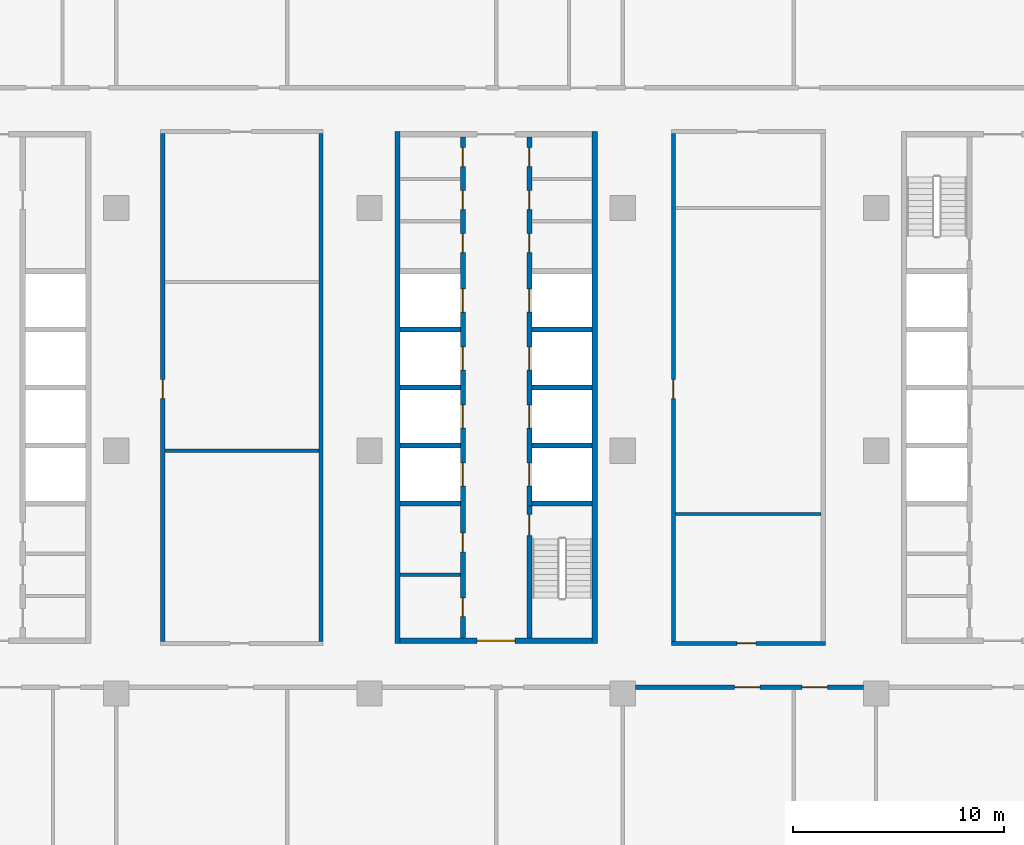
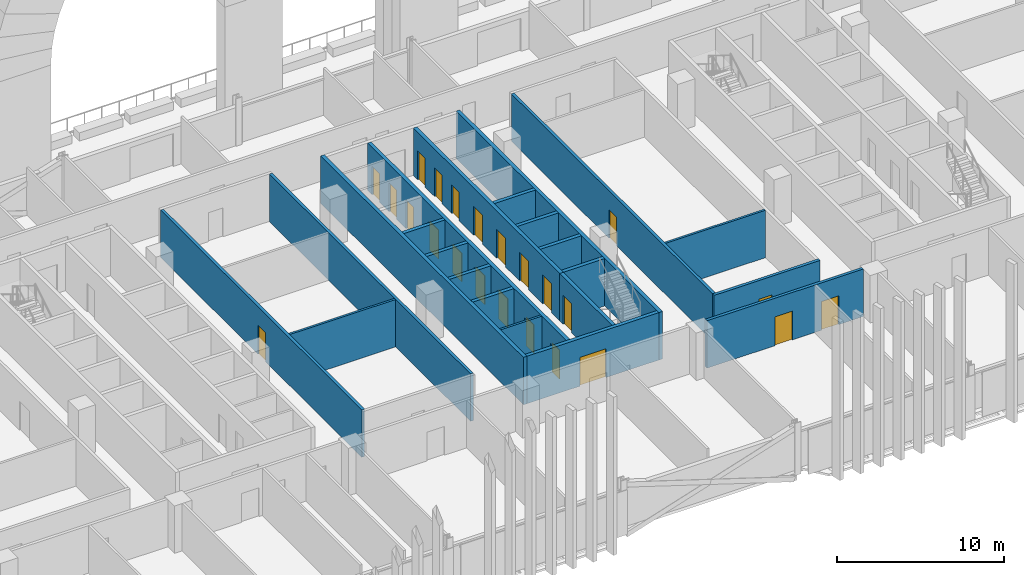
# One storey, part 11 of 30: 23 doors, 22 walls, 23 openings.
"""IFC4 building model written with IfcOpenShell, lengths in metres."""

from ifc_helpers import new_model, si_unit, direction, frame, frame_2d, origin, place, context, subcontext, project, spatial, rectangle, extrude, material, layer, layer_set, type_object, element, fill, save


model = new_model("IFC4")

# Units and contexts
model_context = context("Model", 3, precision=1e-05, world=origin(), true_north=direction((0.0, 1.0)))
body_context = subcontext(model_context, "Body", "Model", "MODEL_VIEW")
ifc_project = project(units=[si_unit("LENGTHUNIT", "METRE"), si_unit("AREAUNIT", "SQUARE_METRE"), si_unit("VOLUMEUNIT", "CUBIC_METRE"), si_unit("PLANEANGLEUNIT", "RADIAN"), si_unit("MASSUNIT", "GRAM", prefix="KILO")], contexts=[model_context])

# Site, building, storey
site_placement = place(None, origin())
site = spatial("IfcSite", under=ifc_project, at=site_placement, CompositionType="ELEMENT")
building_placement = place(site_placement, origin())
building = spatial("IfcBuilding", under=site, at=building_placement, Name="Mahtab Terrace Research Tower", CompositionType="ELEMENT")
storey_placement = place(building_placement, frame((0.0, 0.0, 159.199951171875)))
storey = spatial("IfcBuildingStorey", under=building, at=storey_placement, Name="L37", CompositionType="ELEMENT", Elevation=159.199951171875)

# Walls
ifc_material_1 = material(Name="Gypsum board partition")
ifc_layer_1 = layer(ifc_material_1, 0.14990234375)
ifc_layer_set_1 = layer_set([ifc_layer_1], Name="Core partition 150")
wall_type_1 = type_object("IfcWallType", Name="Core partition 150", PredefinedType="PARTITIONING", material=ifc_layer_set_1)
wall_1_placement = place(storey_placement, frame((-4.550048828125, -5.875, 0.0), z_axis=(0.0, 0.0, 1.0), x_axis=(1.0, 0.0, 0.0)))
element("IfcWall", 1, at=wall_1_placement, inside=storey, type_object=wall_type_1, Name="Core wall B pWS-888", PredefinedType="PARTITIONING", context=body_context, shape_type="SweptSolid", body=[
    extrude(rectangle(XDim=2.85009765625, YDim=0.14990234375, at=frame_2d((1.425048828125, 0.0))), origin(), (0.0, 0.0, 1.0), 3.4599609375),
])
ifc_material_2 = material(Name="Concrete C70/85", Category="concrete")
ifc_layer_2 = layer(ifc_material_2, 0.25)
ifc_layer_set_2 = layer_set([ifc_layer_2], Name="Core wall 250")
wall_type_2 = type_object("IfcWallType", Name="Core wall 250", PredefinedType="SOLIDWALL", material=ifc_layer_set_2)
for number, where, z_axis, x_axis, name in (
    (2, (-4.675048828125, 15.125, 0.0), (0.0, 0.0, 1.0), (0.0, -1.0, 0.0), "Core wall B outerW"),
    (3, (4.675048828125, -9.125, 0.0), (0.0, 0.0, 1.0), (0.0, 1.0, 0.0), "Core wall B outerE"),
):
    element("IfcWall", number, at=place(storey_placement, frame(where, z_axis=z_axis, x_axis=x_axis)), inside=storey, type_object=wall_type_2, Name=name, PredefinedType="SOLIDWALL", context=body_context, shape_type="SweptSolid", body=[
        extrude(rectangle(XDim=24.25, YDim=0.25, at=frame_2d((12.125, 0.0))), origin(), (0.0, 0.0, 1.0), 3.4599609375),
    ])

# Wall, opening, door
wall_2_placement = place(storey_placement, frame((4.550048828125, -9.0, 0.0), z_axis=(0.0, 0.0, 1.0), x_axis=(-1.0, 0.0, 0.0)))
wall_2 = element("IfcWall", 4, at=wall_2_placement, inside=storey, type_object=wall_type_2, Name="Core wall B endS", PredefinedType="SOLIDWALL", context=body_context, shape_type="SweptSolid", body=[
    extrude(rectangle(XDim=9.10009765625, YDim=0.25, at=frame_2d((4.550048828125, 0.0))), origin(), (0.0, 0.0, 1.0), 3.4599609375),
])
opening_1_placement = place(wall_2_placement, frame((3.64990234375, 0.0, 0.0)))
opening_1 = element("IfcOpeningElement", 5, at=opening_1_placement, cuts=wall_2, Name="Opening B-S1", PredefinedType="OPENING", context=body_context, shape_type="SweptSolid", body=[
    extrude(rectangle(XDim=1.800048828125, YDim=2.10009765625, at=frame_2d((0.89990234375, 1.050048828125))), frame((0.0, 0.135009765625, 0.0), z_axis=(0.0, -1.0, 0.0), x_axis=(1.0, 0.0, 0.0)), (0.0, 0.0, 1.0), 0.27001953125),
])
ifc_material_3 = material(Name="Steel fire door", Category="steel")
door_type_1 = type_object("IfcDoorType", Name="Lobby double door 1800x2100 1 HR", OperationType="DOUBLE_DOOR_SINGLE_SWING", PredefinedType="DOOR", material=ifc_material_3)
door_1_placement = place(opening_1_placement, origin())
door_1 = element("IfcDoor", 6, at=door_1_placement, inside=storey, type_object=door_type_1, Name="Core entrance door B S", OperationType="DOUBLE_DOOR_SINGLE_SWING", OverallHeight=2.10009765625, OverallWidth=1.800048828125, PredefinedType="DOOR", context=body_context, shape_type="SweptSolid", body=[
    extrude(rectangle(XDim=1.800048828125, YDim=2.10009765625, at=frame_2d((0.89990234375, 1.050048828125))), frame((0.0, 0.02490234375, 0.0), z_axis=(0.0, -1.0, 0.0), x_axis=(1.0, 0.0, 0.0)), (0.0, 0.0, 1.0), 0.050048828125),
])
fill(opening_1, door_1)

# Wall, openings, doors
wall_3_placement = place(storey_placement, frame((-1.574951171875, -8.875, 0.0), z_axis=(0.0, 0.0, 1.0), x_axis=(0.0, 1.0, 0.0)))
wall_3 = element("IfcWall", 7, at=wall_3_placement, inside=storey, type_object=wall_type_2, Name="Core wall B innerWSLN", PredefinedType="SOLIDWALL", context=body_context, shape_type="SweptSolid", body=[
    extrude(rectangle(XDim=23.75, YDim=0.25, at=frame_2d((11.875, 0.0))), origin(), (0.0, 0.0, 1.0), 3.4599609375),
])
opening_2_placement = place(wall_3_placement, frame((7.199951171875, 0.0, 0.0)))
opening_2 = element("IfcOpeningElement", 8, at=opening_2_placement, cuts=wall_3, Name="Opening LD09-L37", PredefinedType="OPENING", context=body_context, shape_type="SweptSolid", body=[
    extrude(rectangle(XDim=1.10009765625, YDim=2.10009765625, at=frame_2d((0.550048828125, 1.050048828125))), frame((0.0, 0.135009765625, 0.0), z_axis=(0.0, -1.0, 0.0), x_axis=(1.0, 0.0, 0.0)), (0.0, 0.0, 1.0), 0.27001953125),
])
opening_3_placement = place(wall_3_placement, frame((9.949951171875, 0.0, 0.0)))
opening_3 = element("IfcOpeningElement", 9, at=opening_3_placement, cuts=wall_3, Name="Opening LD10-L37", PredefinedType="OPENING", context=body_context, shape_type="SweptSolid", body=[
    extrude(rectangle(XDim=1.10009765625, YDim=2.10009765625, at=frame_2d((0.550048828125, 1.050048828125))), frame((0.0, 0.135009765625, 0.0), z_axis=(0.0, -1.0, 0.0), x_axis=(1.0, 0.0, 0.0)), (0.0, 0.0, 1.0), 0.27001953125),
])
opening_4_placement = place(wall_3_placement, frame((12.699951171875, 0.0, 0.0)))
opening_4 = element("IfcOpeningElement", 10, at=opening_4_placement, cuts=wall_3, Name="Opening LD11-L37", PredefinedType="OPENING", context=body_context, shape_type="SweptSolid", body=[
    extrude(rectangle(XDim=1.10009765625, YDim=2.10009765625, at=frame_2d((0.550048828125, 1.050048828125))), frame((0.0, 0.135009765625, 0.0), z_axis=(0.0, -1.0, 0.0), x_axis=(1.0, 0.0, 0.0)), (0.0, 0.0, 1.0), 0.27001953125),
])
opening_5_placement = place(wall_3_placement, frame((15.449951171875, 0.0, 0.0)))
opening_5 = element("IfcOpeningElement", 11, at=opening_5_placement, cuts=wall_3, Name="Opening LD12-L37", PredefinedType="OPENING", context=body_context, shape_type="SweptSolid", body=[
    extrude(rectangle(XDim=1.10009765625, YDim=2.10009765625, at=frame_2d((0.550048828125, 1.050048828125))), frame((0.0, 0.135009765625, 0.0), z_axis=(0.0, -1.0, 0.0), x_axis=(1.0, 0.0, 0.0)), (0.0, 0.0, 1.0), 0.27001953125),
])
opening_6_placement = place(wall_3_placement, frame((1.012451171875, 0.0, 0.0)))
opening_6 = element("IfcOpeningElement", 12, at=opening_6_placement, cuts=wall_3, Name="Opening B-R1", PredefinedType="OPENING", context=body_context, shape_type="SweptSolid", body=[
    extrude(rectangle(XDim=0.89990234375, YDim=2.10009765625, at=frame_2d((0.449951171875, 1.050048828125))), frame((0.0, 0.135009765625, 0.0), z_axis=(0.0, -1.0, 0.0), x_axis=(1.0, 0.0, 0.0)), (0.0, 0.0, 1.0), 0.27001953125),
])
opening_7_placement = place(wall_3_placement, frame((4.08740234375, 0.0, 0.0)))
opening_7 = element("IfcOpeningElement", 13, at=opening_7_placement, cuts=wall_3, Name="Opening B-R2", PredefinedType="OPENING", context=body_context, shape_type="SweptSolid", body=[
    extrude(rectangle(XDim=0.89990234375, YDim=2.10009765625, at=frame_2d((0.449951171875, 1.050048828125))), frame((0.0, 0.135009765625, 0.0), z_axis=(0.0, -1.0, 0.0), x_axis=(1.0, 0.0, 0.0)), (0.0, 0.0, 1.0), 0.27001953125),
])
opening_8_placement = place(wall_3_placement, frame((18.262451171875, 0.0, 0.0)))
opening_8 = element("IfcOpeningElement", 14, at=opening_8_placement, cuts=wall_3, Name="Opening B-R3", PredefinedType="OPENING", context=body_context, shape_type="SweptSolid", body=[
    extrude(rectangle(XDim=0.89990234375, YDim=2.10009765625, at=frame_2d((0.449951171875, 1.050048828125))), frame((0.0, 0.135009765625, 0.0), z_axis=(0.0, -1.0, 0.0), x_axis=(1.0, 0.0, 0.0)), (0.0, 0.0, 1.0), 0.27001953125),
])
opening_9_placement = place(wall_3_placement, frame((20.300048828125, 0.0, 0.0)))
opening_9 = element("IfcOpeningElement", 15, at=opening_9_placement, cuts=wall_3, Name="Opening B-R4", PredefinedType="OPENING", context=body_context, shape_type="SweptSolid", body=[
    extrude(rectangle(XDim=0.89990234375, YDim=2.10009765625, at=frame_2d((0.449951171875, 1.050048828125))), frame((0.0, 0.135009765625, 0.0), z_axis=(0.0, -1.0, 0.0), x_axis=(1.0, 0.0, 0.0)), (0.0, 0.0, 1.0), 0.27001953125),
])
opening_10_placement = place(wall_3_placement, frame((22.33740234375, 0.0, 0.0)))
opening_10 = element("IfcOpeningElement", 16, at=opening_10_placement, cuts=wall_3, Name="Opening B-R5", PredefinedType="OPENING", context=body_context, shape_type="SweptSolid", body=[
    extrude(rectangle(XDim=0.89990234375, YDim=2.10009765625, at=frame_2d((0.449951171875, 1.050048828125))), frame((0.0, 0.135009765625, 0.0), z_axis=(0.0, -1.0, 0.0), x_axis=(1.0, 0.0, 0.0)), (0.0, 0.0, 1.0), 0.27001953125),
])
ifc_material_4 = material(Name="Stainless steel AISI 304", Category="steel")
door_type_2 = type_object("IfcDoorType", Name="Landing door 1100x2100", OperationType="DOUBLE_DOOR_SLIDING", PredefinedType="DOOR", material=ifc_material_4)
door_2_placement = place(opening_2_placement, origin())
door_2 = element("IfcDoor", 17, at=door_2_placement, inside=storey, type_object=door_type_2, Name="Landing door HR1 L37", OperationType="DOUBLE_DOOR_SLIDING", OverallHeight=2.10009765625, OverallWidth=1.10009765625, PredefinedType="DOOR", context=body_context, shape_type="SweptSolid", body=[
    extrude(rectangle(XDim=1.10009765625, YDim=2.10009765625, at=frame_2d((0.550048828125, 1.050048828125))), frame((0.0, 0.02490234375, 0.0), z_axis=(0.0, -1.0, 0.0), x_axis=(1.0, 0.0, 0.0)), (0.0, 0.0, 1.0), 0.050048828125),
])
fill(opening_2, door_2)
door_3_placement = place(opening_3_placement, origin())
door_3 = element("IfcDoor", 18, at=door_3_placement, inside=storey, type_object=door_type_2, Name="Landing door HR2 L37", OperationType="DOUBLE_DOOR_SLIDING", OverallHeight=2.10009765625, OverallWidth=1.10009765625, PredefinedType="DOOR", context=body_context, shape_type="SweptSolid", body=[
    extrude(rectangle(XDim=1.10009765625, YDim=2.10009765625, at=frame_2d((0.550048828125, 1.050048828125))), frame((0.0, 0.02490234375, 0.0), z_axis=(0.0, -1.0, 0.0), x_axis=(1.0, 0.0, 0.0)), (0.0, 0.0, 1.0), 0.050048828125),
])
fill(opening_3, door_3)
door_4_placement = place(opening_4_placement, origin())
door_4 = element("IfcDoor", 19, at=door_4_placement, inside=storey, type_object=door_type_2, Name="Landing door HR3 L37", OperationType="DOUBLE_DOOR_SLIDING", OverallHeight=2.10009765625, OverallWidth=1.10009765625, PredefinedType="DOOR", context=body_context, shape_type="SweptSolid", body=[
    extrude(rectangle(XDim=1.10009765625, YDim=2.10009765625, at=frame_2d((0.550048828125, 1.050048828125))), frame((0.0, 0.02490234375, 0.0), z_axis=(0.0, -1.0, 0.0), x_axis=(1.0, 0.0, 0.0)), (0.0, 0.0, 1.0), 0.050048828125),
])
fill(opening_4, door_4)
door_5_placement = place(opening_5_placement, origin())
door_5 = element("IfcDoor", 20, at=door_5_placement, inside=storey, type_object=door_type_2, Name="Landing door HR4 L37", OperationType="DOUBLE_DOOR_SLIDING", OverallHeight=2.10009765625, OverallWidth=1.10009765625, PredefinedType="DOOR", context=body_context, shape_type="SweptSolid", body=[
    extrude(rectangle(XDim=1.10009765625, YDim=2.10009765625, at=frame_2d((0.550048828125, 1.050048828125))), frame((0.0, 0.02490234375, 0.0), z_axis=(0.0, -1.0, 0.0), x_axis=(1.0, 0.0, 0.0)), (0.0, 0.0, 1.0), 0.050048828125),
])
fill(opening_5, door_5)
door_type_3 = type_object("IfcDoorType", Name="Room door 900x2100 1 HR", OperationType="NOTDEFINED", PredefinedType="DOOR", material=ifc_material_3)
door_6_placement = place(opening_6_placement, origin())
door_6 = element("IfcDoor", 21, at=door_6_placement, inside=storey, type_object=door_type_3, Name="Housekeeping store door", OperationType="SINGLE_SWING_LEFT", OverallHeight=2.10009765625, OverallWidth=0.89990234375, PredefinedType="DOOR", context=body_context, shape_type="SweptSolid", body=[
    extrude(rectangle(XDim=0.89990234375, YDim=2.10009765625, at=frame_2d((0.449951171875, 1.050048828125))), frame((0.0, 0.02490234375, 0.0), z_axis=(0.0, -1.0, 0.0), x_axis=(1.0, 0.0, 0.0)), (0.0, 0.0, 1.0), 0.050048828125),
])
fill(opening_6, door_6)
door_7_placement = place(opening_7_placement, origin())
door_7 = element("IfcDoor", 22, at=door_7_placement, inside=storey, type_object=door_type_3, Name="Electrical riser room door", OperationType="SINGLE_SWING_RIGHT", OverallHeight=2.10009765625, OverallWidth=0.89990234375, PredefinedType="DOOR", context=body_context, shape_type="SweptSolid", body=[
    extrude(rectangle(XDim=0.89990234375, YDim=2.10009765625, at=frame_2d((0.449951171875, 1.050048828125))), frame((0.0, 0.02490234375, 0.0), z_axis=(0.0, -1.0, 0.0), x_axis=(1.0, 0.0, 0.0)), (0.0, 0.0, 1.0), 0.050048828125),
])
fill(opening_7, door_7)
door_8_placement = place(opening_8_placement, origin())
door_8 = element("IfcDoor", 23, at=door_8_placement, inside=storey, type_object=door_type_3, Name="Comms riser room door", OperationType="SINGLE_SWING_LEFT", OverallHeight=2.10009765625, OverallWidth=0.89990234375, PredefinedType="DOOR", context=body_context, shape_type="SweptSolid", body=[
    extrude(rectangle(XDim=0.89990234375, YDim=2.10009765625, at=frame_2d((0.449951171875, 1.050048828125))), frame((0.0, 0.02490234375, 0.0), z_axis=(0.0, -1.0, 0.0), x_axis=(1.0, 0.0, 0.0)), (0.0, 0.0, 1.0), 0.050048828125),
])
fill(opening_8, door_8)
door_9_placement = place(opening_9_placement, origin())
door_9 = element("IfcDoor", 24, at=door_9_placement, inside=storey, type_object=door_type_3, Name="Pantry door", OperationType="SINGLE_SWING_RIGHT", OverallHeight=2.10009765625, OverallWidth=0.89990234375, PredefinedType="DOOR", context=body_context, shape_type="SweptSolid", body=[
    extrude(rectangle(XDim=0.89990234375, YDim=2.10009765625, at=frame_2d((0.449951171875, 1.050048828125))), frame((0.0, 0.02490234375, 0.0), z_axis=(0.0, -1.0, 0.0), x_axis=(1.0, 0.0, 0.0)), (0.0, 0.0, 1.0), 0.050048828125),
])
fill(opening_9, door_9)
door_10_placement = place(opening_10_placement, origin())
door_10 = element("IfcDoor", 25, at=door_10_placement, inside=storey, type_object=door_type_3, Name="Cleaners store door", OperationType="SINGLE_SWING_LEFT", OverallHeight=2.10009765625, OverallWidth=0.89990234375, PredefinedType="DOOR", context=body_context, shape_type="SweptSolid", body=[
    extrude(rectangle(XDim=0.89990234375, YDim=2.10009765625, at=frame_2d((0.449951171875, 1.050048828125))), frame((0.0, 0.02490234375, 0.0), z_axis=(0.0, -1.0, 0.0), x_axis=(1.0, 0.0, 0.0)), (0.0, 0.0, 1.0), 0.050048828125),
])
fill(opening_10, door_10)

# Wall, opening, door
wall_4_placement = place(storey_placement, frame((1.574951171875, -8.875, 0.0), z_axis=(0.0, 0.0, 1.0), x_axis=(0.0, 1.0, 0.0)))
wall_4 = element("IfcWall", 26, at=wall_4_placement, inside=storey, type_object=wall_type_2, Name="Core wall B innerES", PredefinedType="SOLIDWALL", context=body_context, shape_type="SweptSolid", body=[
    extrude(rectangle(XDim=6.25, YDim=0.25, at=frame_2d((3.125, 0.0))), origin(), (0.0, 0.0, 1.0), 3.4599609375),
])
opening_11_placement = place(wall_4_placement, frame((4.85009765625, 0.0, 0.0)))
opening_11 = element("IfcOpeningElement", 27, at=opening_11_placement, cuts=wall_4, Name="Opening B-ST2", PredefinedType="OPENING", context=body_context, shape_type="SweptSolid", body=[
    extrude(rectangle(XDim=1.0, YDim=2.10009765625, at=frame_2d((0.5, 1.050048828125))), frame((0.0, 0.135009765625, 0.0), z_axis=(0.0, -1.0, 0.0), x_axis=(1.0, 0.0, 0.0)), (0.0, 0.0, 1.0), 0.27001953125),
])
door_type_4 = type_object("IfcDoorType", Name="Stair door 1000x2100 1.5 HR", OperationType="NOTDEFINED", PredefinedType="DOOR", material=ifc_material_3)
door_11_placement = place(opening_11_placement, origin())
door_11 = element("IfcDoor", 28, at=door_11_placement, inside=storey, type_object=door_type_4, Name="Stair door ST2 L37", OperationType="SINGLE_SWING_LEFT", OverallHeight=2.10009765625, OverallWidth=1.0, PredefinedType="DOOR", context=body_context, shape_type="SweptSolid", body=[
    extrude(rectangle(XDim=1.0, YDim=2.10009765625, at=frame_2d((0.5, 1.050048828125))), frame((0.0, 0.02490234375, 0.0), z_axis=(0.0, -1.0, 0.0), x_axis=(1.0, 0.0, 0.0)), (0.0, 0.0, 1.0), 0.050048828125),
])
fill(opening_11, door_11)

# Wall, openings, doors
wall_5_placement = place(storey_placement, frame((1.574951171875, 14.875, 0.0), z_axis=(0.0, 0.0, 1.0), x_axis=(0.0, -1.0, 0.0)))
wall_5 = element("IfcWall", 29, at=wall_5_placement, inside=storey, type_object=wall_type_2, Name="Core wall B innerELN", PredefinedType="SOLIDWALL", context=body_context, shape_type="SweptSolid", body=[
    extrude(rectangle(XDim=17.5, YDim=0.25, at=frame_2d((8.75, 0.0))), origin(), (0.0, 0.0, 1.0), 3.4599609375),
])
opening_12_placement = place(wall_5_placement, frame((15.449951171875, 0.0, 0.0)))
opening_12 = element("IfcOpeningElement", 30, at=opening_12_placement, cuts=wall_5, Name="Opening LD13-L37", PredefinedType="OPENING", context=body_context, shape_type="SweptSolid", body=[
    extrude(rectangle(XDim=1.10009765625, YDim=2.10009765625, at=frame_2d((0.550048828125, 1.050048828125))), frame((0.0, 0.135009765625, 0.0), z_axis=(0.0, -1.0, 0.0), x_axis=(1.0, 0.0, 0.0)), (0.0, 0.0, 1.0), 0.27001953125),
])
opening_13_placement = place(wall_5_placement, frame((12.699951171875, 0.0, 0.0)))
opening_13 = element("IfcOpeningElement", 31, at=opening_13_placement, cuts=wall_5, Name="Opening LD14-L37", PredefinedType="OPENING", context=body_context, shape_type="SweptSolid", body=[
    extrude(rectangle(XDim=1.10009765625, YDim=2.10009765625, at=frame_2d((0.550048828125, 1.050048828125))), frame((0.0, 0.135009765625, 0.0), z_axis=(0.0, -1.0, 0.0), x_axis=(1.0, 0.0, 0.0)), (0.0, 0.0, 1.0), 0.27001953125),
])
opening_14_placement = place(wall_5_placement, frame((9.949951171875, 0.0, 0.0)))
opening_14 = element("IfcOpeningElement", 32, at=opening_14_placement, cuts=wall_5, Name="Opening LD15-L37", PredefinedType="OPENING", context=body_context, shape_type="SweptSolid", body=[
    extrude(rectangle(XDim=1.10009765625, YDim=2.10009765625, at=frame_2d((0.550048828125, 1.050048828125))), frame((0.0, 0.135009765625, 0.0), z_axis=(0.0, -1.0, 0.0), x_axis=(1.0, 0.0, 0.0)), (0.0, 0.0, 1.0), 0.27001953125),
])
opening_15_placement = place(wall_5_placement, frame((7.199951171875, 0.0, 0.0)))
opening_15 = element("IfcOpeningElement", 33, at=opening_15_placement, cuts=wall_5, Name="Opening LD16-L37", PredefinedType="OPENING", context=body_context, shape_type="SweptSolid", body=[
    extrude(rectangle(XDim=1.10009765625, YDim=2.10009765625, at=frame_2d((0.550048828125, 1.050048828125))), frame((0.0, 0.135009765625, 0.0), z_axis=(0.0, -1.0, 0.0), x_axis=(1.0, 0.0, 0.0)), (0.0, 0.0, 1.0), 0.27001953125),
])
opening_16_placement = place(wall_5_placement, frame((4.58740234375, 0.0, 0.0)))
opening_16 = element("IfcOpeningElement", 34, at=opening_16_placement, cuts=wall_5, Name="Opening B-R6", PredefinedType="OPENING", context=body_context, shape_type="SweptSolid", body=[
    extrude(rectangle(XDim=0.89990234375, YDim=2.10009765625, at=frame_2d((0.449951171875, 1.050048828125))), frame((0.0, 0.135009765625, 0.0), z_axis=(0.0, -1.0, 0.0), x_axis=(1.0, 0.0, 0.0)), (0.0, 0.0, 1.0), 0.27001953125),
])
opening_17_placement = place(wall_5_placement, frame((2.550048828125, 0.0, 0.0)))
opening_17 = element("IfcOpeningElement", 35, at=opening_17_placement, cuts=wall_5, Name="Opening B-R7", PredefinedType="OPENING", context=body_context, shape_type="SweptSolid", body=[
    extrude(rectangle(XDim=0.89990234375, YDim=2.10009765625, at=frame_2d((0.449951171875, 1.050048828125))), frame((0.0, 0.135009765625, 0.0), z_axis=(0.0, -1.0, 0.0), x_axis=(1.0, 0.0, 0.0)), (0.0, 0.0, 1.0), 0.27001953125),
])
opening_18_placement = place(wall_5_placement, frame((0.512451171875, 0.0, 0.0)))
opening_18 = element("IfcOpeningElement", 36, at=opening_18_placement, cuts=wall_5, Name="Opening B-R8", PredefinedType="OPENING", context=body_context, shape_type="SweptSolid", body=[
    extrude(rectangle(XDim=0.89990234375, YDim=2.10009765625, at=frame_2d((0.449951171875, 1.050048828125))), frame((0.0, 0.135009765625, 0.0), z_axis=(0.0, -1.0, 0.0), x_axis=(1.0, 0.0, 0.0)), (0.0, 0.0, 1.0), 0.27001953125),
])
door_12_placement = place(opening_12_placement, origin())
door_12 = element("IfcDoor", 37, at=door_12_placement, inside=storey, type_object=door_type_2, Name="Landing door HR5 L37", OperationType="DOUBLE_DOOR_SLIDING", OverallHeight=2.10009765625, OverallWidth=1.10009765625, PredefinedType="DOOR", context=body_context, shape_type="SweptSolid", body=[
    extrude(rectangle(XDim=1.10009765625, YDim=2.10009765625, at=frame_2d((0.550048828125, 1.050048828125))), frame((0.0, 0.02490234375, 0.0), z_axis=(0.0, -1.0, 0.0), x_axis=(1.0, 0.0, 0.0)), (0.0, 0.0, 1.0), 0.050048828125),
])
fill(opening_12, door_12)
door_13_placement = place(opening_13_placement, origin())
door_13 = element("IfcDoor", 38, at=door_13_placement, inside=storey, type_object=door_type_2, Name="Landing door HR6 L37", OperationType="DOUBLE_DOOR_SLIDING", OverallHeight=2.10009765625, OverallWidth=1.10009765625, PredefinedType="DOOR", context=body_context, shape_type="SweptSolid", body=[
    extrude(rectangle(XDim=1.10009765625, YDim=2.10009765625, at=frame_2d((0.550048828125, 1.050048828125))), frame((0.0, 0.02490234375, 0.0), z_axis=(0.0, -1.0, 0.0), x_axis=(1.0, 0.0, 0.0)), (0.0, 0.0, 1.0), 0.050048828125),
])
fill(opening_13, door_13)
door_14_placement = place(opening_14_placement, origin())
door_14 = element("IfcDoor", 39, at=door_14_placement, inside=storey, type_object=door_type_2, Name="Landing door HR7 L37", OperationType="DOUBLE_DOOR_SLIDING", OverallHeight=2.10009765625, OverallWidth=1.10009765625, PredefinedType="DOOR", context=body_context, shape_type="SweptSolid", body=[
    extrude(rectangle(XDim=1.10009765625, YDim=2.10009765625, at=frame_2d((0.550048828125, 1.050048828125))), frame((0.0, 0.02490234375, 0.0), z_axis=(0.0, -1.0, 0.0), x_axis=(1.0, 0.0, 0.0)), (0.0, 0.0, 1.0), 0.050048828125),
])
fill(opening_14, door_14)
door_15_placement = place(opening_15_placement, origin())
door_15 = element("IfcDoor", 40, at=door_15_placement, inside=storey, type_object=door_type_2, Name="Landing door HR8 L37", OperationType="DOUBLE_DOOR_SLIDING", OverallHeight=2.10009765625, OverallWidth=1.10009765625, PredefinedType="DOOR", context=body_context, shape_type="SweptSolid", body=[
    extrude(rectangle(XDim=1.10009765625, YDim=2.10009765625, at=frame_2d((0.550048828125, 1.050048828125))), frame((0.0, 0.02490234375, 0.0), z_axis=(0.0, -1.0, 0.0), x_axis=(1.0, 0.0, 0.0)), (0.0, 0.0, 1.0), 0.050048828125),
])
fill(opening_15, door_15)
door_16_placement = place(opening_16_placement, origin())
door_16 = element("IfcDoor", 41, at=door_16_placement, inside=storey, type_object=door_type_3, Name="Male WC door", OperationType="SINGLE_SWING_RIGHT", OverallHeight=2.10009765625, OverallWidth=0.89990234375, PredefinedType="DOOR", context=body_context, shape_type="SweptSolid", body=[
    extrude(rectangle(XDim=0.89990234375, YDim=2.10009765625, at=frame_2d((0.449951171875, 1.050048828125))), frame((0.0, 0.02490234375, 0.0), z_axis=(0.0, -1.0, 0.0), x_axis=(1.0, 0.0, 0.0)), (0.0, 0.0, 1.0), 0.050048828125),
])
fill(opening_16, door_16)
door_17_placement = place(opening_17_placement, origin())
door_17 = element("IfcDoor", 42, at=door_17_placement, inside=storey, type_object=door_type_3, Name="Female WC door", OperationType="SINGLE_SWING_LEFT", OverallHeight=2.10009765625, OverallWidth=0.89990234375, PredefinedType="DOOR", context=body_context, shape_type="SweptSolid", body=[
    extrude(rectangle(XDim=0.89990234375, YDim=2.10009765625, at=frame_2d((0.449951171875, 1.050048828125))), frame((0.0, 0.02490234375, 0.0), z_axis=(0.0, -1.0, 0.0), x_axis=(1.0, 0.0, 0.0)), (0.0, 0.0, 1.0), 0.050048828125),
])
fill(opening_17, door_17)
door_18_placement = place(opening_18_placement, origin())
door_18 = element("IfcDoor", 43, at=door_18_placement, inside=storey, type_object=door_type_3, Name="Accessible WC door", OperationType="SINGLE_SWING_RIGHT", OverallHeight=2.10009765625, OverallWidth=0.89990234375, PredefinedType="DOOR", context=body_context, shape_type="SweptSolid", body=[
    extrude(rectangle(XDim=0.89990234375, YDim=2.10009765625, at=frame_2d((0.449951171875, 1.050048828125))), frame((0.0, 0.02490234375, 0.0), z_axis=(0.0, -1.0, 0.0), x_axis=(1.0, 0.0, 0.0)), (0.0, 0.0, 1.0), 0.050048828125),
])
fill(opening_18, door_18)

# Walls
for number, where, z_axis, x_axis, name in (
    (44, (-4.550048828125, -2.5, 0.0), (0.0, 0.0, 1.0), (1.0, 0.0, 0.0), "Core wall B divW0"),
    (45, (-4.550048828125, 0.25, 0.0), (0.0, 0.0, 1.0), (1.0, 0.0, 0.0), "Core wall B divW1"),
    (46, (-4.550048828125, 3.0, 0.0), (0.0, 0.0, 1.0), (1.0, 0.0, 0.0), "Core wall B divW2"),
    (47, (-4.550048828125, 5.75, 0.0), (0.0, 0.0, 1.0), (1.0, 0.0, 0.0), "Core wall B divW3"),
    (48, (1.699951171875, -2.5, 0.0), (0.0, 0.0, 1.0), (1.0, 0.0, 0.0), "Core wall B divE0"),
    (49, (1.699951171875, 0.25, 0.0), (0.0, 0.0, 1.0), (1.0, 0.0, 0.0), "Core wall B divE1"),
    (50, (1.699951171875, 3.0, 0.0), (0.0, 0.0, 1.0), (1.0, 0.0, 0.0), "Core wall B divE2"),
    (51, (1.699951171875, 5.75, 0.0), (0.0, 0.0, 1.0), (1.0, 0.0, 0.0), "Core wall B divE3"),
):
    element("IfcWall", number, at=place(storey_placement, frame(where, z_axis=z_axis, x_axis=x_axis)), inside=storey, type_object=wall_type_2, Name=name, PredefinedType="SOLIDWALL", context=body_context, shape_type="SweptSolid", body=[
        extrude(rectangle(XDim=2.85009765625, YDim=0.25, at=frame_2d((1.425048828125, 0.0))), origin(), (0.0, 0.0, 1.0), 3.4599609375),
    ])

# Wall, openings, doors
ifc_material_5 = material(Name="Gypsum board corridor wall on steel studs", Category="steel")
ifc_layer_3 = layer(ifc_material_5, 0.199951171875)
ifc_layer_set_3 = layer_set([ifc_layer_3], Name="WALL CORRIDOR 200")
wall_type_3 = type_object("IfcWallType", Name="WALL CORRIDOR 200", PredefinedType="PARTITIONING", material=ifc_layer_set_3)
wall_6_placement = place(storey_placement, frame((6.60009765625, -11.199951171875, 0.0), z_axis=(0.0, 0.0, 1.0), x_axis=(1.0, 0.0, 0.0)))
wall_6 = element("IfcWall", 52, at=wall_6_placement, inside=storey, type_object=wall_type_3, Name="L37-W006", PredefinedType="PARTITIONING", context=body_context, shape_type="SweptSolid", body=[
    extrude(rectangle(XDim=10.7998046875, YDim=0.199951171875, at=frame_2d((5.39990234375, 0.0))), origin(), (0.0, 0.0, 1.0), 3.4599609375),
])
opening_19_placement = place(wall_6_placement, frame((4.699951171875, 0.0, 0.0)))
opening_19 = element("IfcOpeningElement", 53, at=opening_19_placement, cuts=wall_6, Name="Opening L37-109", PredefinedType="OPENING", context=body_context, shape_type="SweptSolid", body=[
    extrude(rectangle(XDim=1.199951171875, YDim=2.10009765625, at=frame_2d((0.60009765625, 1.050048828125))), frame((0.0, 0.10986328125, 0.0), z_axis=(0.0, -1.0, 0.0), x_axis=(1.0, 0.0, 0.0)), (0.0, 0.0, 1.0), 0.219970703125),
])
opening_20_placement = place(wall_6_placement, frame((7.89990234375, 0.0, 0.0)))
opening_20 = element("IfcOpeningElement", 54, at=opening_20_placement, cuts=wall_6, Name="Opening L37-110", PredefinedType="OPENING", context=body_context, shape_type="SweptSolid", body=[
    extrude(rectangle(XDim=1.199951171875, YDim=2.10009765625, at=frame_2d((0.60009765625, 1.050048828125))), frame((0.0, 0.10986328125, 0.0), z_axis=(0.0, -1.0, 0.0), x_axis=(1.0, 0.0, 0.0)), (0.0, 0.0, 1.0), 0.219970703125),
])
ifc_material_6 = material(Name="Timber door leaf in steel frame", Category="steel")
door_type_5 = type_object("IfcDoorType", Name="DOOR 1200X2100 FD30S", OperationType="SINGLE_SWING_LEFT", PredefinedType="DOOR", material=ifc_material_6)
door_19_placement = place(opening_19_placement, origin())
door_19 = element("IfcDoor", 55, at=door_19_placement, inside=storey, type_object=door_type_5, Name="Door L37-109", OperationType="SINGLE_SWING_RIGHT", OverallHeight=2.10009765625, OverallWidth=1.199951171875, PredefinedType="DOOR", context=body_context, shape_type="SweptSolid", body=[
    extrude(rectangle(XDim=1.199951171875, YDim=2.10009765625, at=frame_2d((0.60009765625, 1.050048828125))), frame((0.0, 0.02490234375, 0.0), z_axis=(0.0, -1.0, 0.0), x_axis=(1.0, 0.0, 0.0)), (0.0, 0.0, 1.0), 0.050048828125),
])
fill(opening_19, door_19)
door_20_placement = place(opening_20_placement, origin())
door_20 = element("IfcDoor", 56, at=door_20_placement, inside=storey, type_object=door_type_5, Name="Door L37-110", OperationType="SINGLE_SWING_LEFT", OverallHeight=2.10009765625, OverallWidth=1.199951171875, PredefinedType="DOOR", context=body_context, shape_type="SweptSolid", body=[
    extrude(rectangle(XDim=1.199951171875, YDim=2.10009765625, at=frame_2d((0.60009765625, 1.050048828125))), frame((0.0, 0.02490234375, 0.0), z_axis=(0.0, -1.0, 0.0), x_axis=(1.0, 0.0, 0.0)), (0.0, 0.0, 1.0), 0.050048828125),
])
fill(opening_20, door_20)

# Wall, opening, door
wall_7_placement = place(storey_placement, frame((8.300048828125, -9.125, 0.0), z_axis=(0.0, 0.0, 1.0), x_axis=(1.0, 0.0, 0.0)))
wall_7 = element("IfcWall", 57, at=wall_7_placement, inside=storey, type_object=wall_type_3, Name="L37-W012", PredefinedType="PARTITIONING", context=body_context, shape_type="SweptSolid", body=[
    extrude(rectangle(XDim=7.300048828125, YDim=0.199951171875, at=frame_2d((3.64990234375, 0.0))), origin(), (0.0, 0.0, 1.0), 3.4599609375),
])
opening_21_placement = place(wall_7_placement, frame((3.10009765625, 0.0, 0.0)))
opening_21 = element("IfcOpeningElement", 58, at=opening_21_placement, cuts=wall_7, Name="Opening L37-116", PredefinedType="OPENING", context=body_context, shape_type="SweptSolid", body=[
    extrude(rectangle(XDim=0.89990234375, YDim=2.10009765625, at=frame_2d((0.449951171875, 1.050048828125))), frame((0.0, 0.10986328125, 0.0), z_axis=(0.0, -1.0, 0.0), x_axis=(1.0, 0.0, 0.0)), (0.0, 0.0, 1.0), 0.219970703125),
])
door_type_6 = type_object("IfcDoorType", Name="DOOR 0900X2100 FD30S", OperationType="SINGLE_SWING_LEFT", PredefinedType="DOOR", material=ifc_material_6)
door_21_placement = place(opening_21_placement, origin())
door_21 = element("IfcDoor", 59, at=door_21_placement, inside=storey, type_object=door_type_6, Name="Door L37-116", OperationType="SINGLE_SWING_LEFT", OverallHeight=2.10009765625, OverallWidth=0.89990234375, PredefinedType="DOOR", context=body_context, shape_type="SweptSolid", body=[
    extrude(rectangle(XDim=0.89990234375, YDim=2.10009765625, at=frame_2d((0.449951171875, 1.050048828125))), frame((0.0, 0.02490234375, 0.0), z_axis=(0.0, -1.0, 0.0), x_axis=(1.0, 0.0, 0.0)), (0.0, 0.0, 1.0), 0.050048828125),
])
fill(opening_21, door_21)

wall_8_placement = place(storey_placement, frame((-15.800048828125, -9.02490234375, 0.0), z_axis=(0.0, 0.0, 1.0), x_axis=(0.0, 1.0, 0.0)))
wall_8 = element("IfcWall", 60, at=wall_8_placement, inside=storey, type_object=wall_type_3, Name="L37-W040", PredefinedType="PARTITIONING", context=body_context, shape_type="SweptSolid", body=[
    extrude(rectangle(XDim=24.0498046875, YDim=0.199951171875, at=frame_2d((12.02490234375, 0.0))), origin(), (0.0, 0.0, 1.0), 3.4599609375),
])
opening_22_placement = place(wall_8_placement, frame((11.5, 0.0, 0.0)))
opening_22 = element("IfcOpeningElement", 61, at=opening_22_placement, cuts=wall_8, Name="Opening L37-120", PredefinedType="OPENING", context=body_context, shape_type="SweptSolid", body=[
    extrude(rectangle(XDim=0.89990234375, YDim=2.10009765625, at=frame_2d((0.449951171875, 1.050048828125))), frame((0.0, 0.10986328125, 0.0), z_axis=(0.0, -1.0, 0.0), x_axis=(1.0, 0.0, 0.0)), (0.0, 0.0, 1.0), 0.219970703125),
])
door_22_placement = place(opening_22_placement, origin())
door_22 = element("IfcDoor", 62, at=door_22_placement, inside=storey, type_object=door_type_6, Name="Door L37-120", OperationType="SINGLE_SWING_RIGHT", OverallHeight=2.10009765625, OverallWidth=0.89990234375, PredefinedType="DOOR", context=body_context, shape_type="SweptSolid", body=[
    extrude(rectangle(XDim=0.89990234375, YDim=2.10009765625, at=frame_2d((0.449951171875, 1.050048828125))), frame((0.0, 0.02490234375, 0.0), z_axis=(0.0, -1.0, 0.0), x_axis=(1.0, 0.0, 0.0)), (0.0, 0.0, 1.0), 0.050048828125),
])
fill(opening_22, door_22)

# Wall
wall_9_placement = place(storey_placement, frame((-8.300048828125, -9.02490234375, 0.0), z_axis=(0.0, 0.0, 1.0), x_axis=(0.0, 1.0, 0.0)))
element("IfcWall", 63, at=wall_9_placement, inside=storey, type_object=wall_type_3, Name="L37-W043", PredefinedType="PARTITIONING", context=body_context, shape_type="SweptSolid", body=[
    extrude(rectangle(XDim=24.0498046875, YDim=0.199951171875, at=frame_2d((12.02490234375, 0.0))), origin(), (0.0, 0.0, 1.0), 3.4599609375),
])

# Wall, opening, door
wall_10_placement = place(storey_placement, frame((8.39990234375, -9.02490234375, 0.0), z_axis=(0.0, 0.0, 1.0), x_axis=(0.0, 1.0, 0.0)))
wall_10 = element("IfcWall", 64, at=wall_10_placement, inside=storey, type_object=wall_type_3, Name="L37-W049", PredefinedType="PARTITIONING", context=body_context, shape_type="SweptSolid", body=[
    extrude(rectangle(XDim=24.0498046875, YDim=0.199951171875, at=frame_2d((12.02490234375, 0.0))), origin(), (0.0, 0.0, 1.0), 3.4599609375),
])
opening_23_placement = place(wall_10_placement, frame((11.5, 0.0, 0.0)))
opening_23 = element("IfcOpeningElement", 65, at=opening_23_placement, cuts=wall_10, Name="Opening L37-121", PredefinedType="OPENING", context=body_context, shape_type="SweptSolid", body=[
    extrude(rectangle(XDim=0.89990234375, YDim=2.10009765625, at=frame_2d((0.449951171875, 1.050048828125))), frame((0.0, 0.10986328125, 0.0), z_axis=(0.0, -1.0, 0.0), x_axis=(1.0, 0.0, 0.0)), (0.0, 0.0, 1.0), 0.219970703125),
])
door_23_placement = place(opening_23_placement, origin())
door_23 = element("IfcDoor", 66, at=door_23_placement, inside=storey, type_object=door_type_6, Name="Door L37-121", OperationType="SINGLE_SWING_RIGHT", OverallHeight=2.10009765625, OverallWidth=0.89990234375, PredefinedType="DOOR", context=body_context, shape_type="SweptSolid", body=[
    extrude(rectangle(XDim=0.89990234375, YDim=2.10009765625, at=frame_2d((0.449951171875, 1.050048828125))), frame((0.0, 0.02490234375, 0.0), z_axis=(0.0, -1.0, 0.0), x_axis=(1.0, 0.0, 0.0)), (0.0, 0.0, 1.0), 0.050048828125),
])
fill(opening_23, door_23)

# Walls
ifc_material_7 = material(Name="Gypsum board partition on steel studs", Category="steel")
ifc_layer_4 = layer(ifc_material_7, 0.14990234375)
ifc_layer_set_4 = layer_set([ifc_layer_4], Name="WALL PARTITION 150")
wall_type_4 = type_object("IfcWallType", Name="WALL PARTITION 150", PredefinedType="PARTITIONING", material=ifc_layer_set_4)
wall_11_placement = place(storey_placement, frame((8.5, -3.0, 0.0), z_axis=(0.0, 0.0, 1.0), x_axis=(1.0, 0.0, 0.0)))
element("IfcWall", 67, at=wall_11_placement, inside=storey, type_object=wall_type_4, Name="L37-W015", PredefinedType="PARTITIONING", context=body_context, shape_type="SweptSolid", body=[
    extrude(rectangle(XDim=6.89990234375, YDim=0.14990234375, at=frame_2d((3.449951171875, 0.0))), origin(), (0.0, 0.0, 1.0), 3.4599609375),
])
wall_12_placement = place(storey_placement, frame((-15.699951171875, 0.0, 0.0), z_axis=(0.0, 0.0, 1.0), x_axis=(1.0, 0.0, 0.0)))
element("IfcWall", 68, at=wall_12_placement, inside=storey, type_object=wall_type_4, Name="L37-W016", PredefinedType="PARTITIONING", context=body_context, shape_type="SweptSolid", body=[
    extrude(rectangle(XDim=7.300048828125, YDim=0.14990234375, at=frame_2d((3.64990234375, 0.0))), origin(), (0.0, 0.0, 1.0), 3.4599609375),
])

save(model, "model.ifc")
